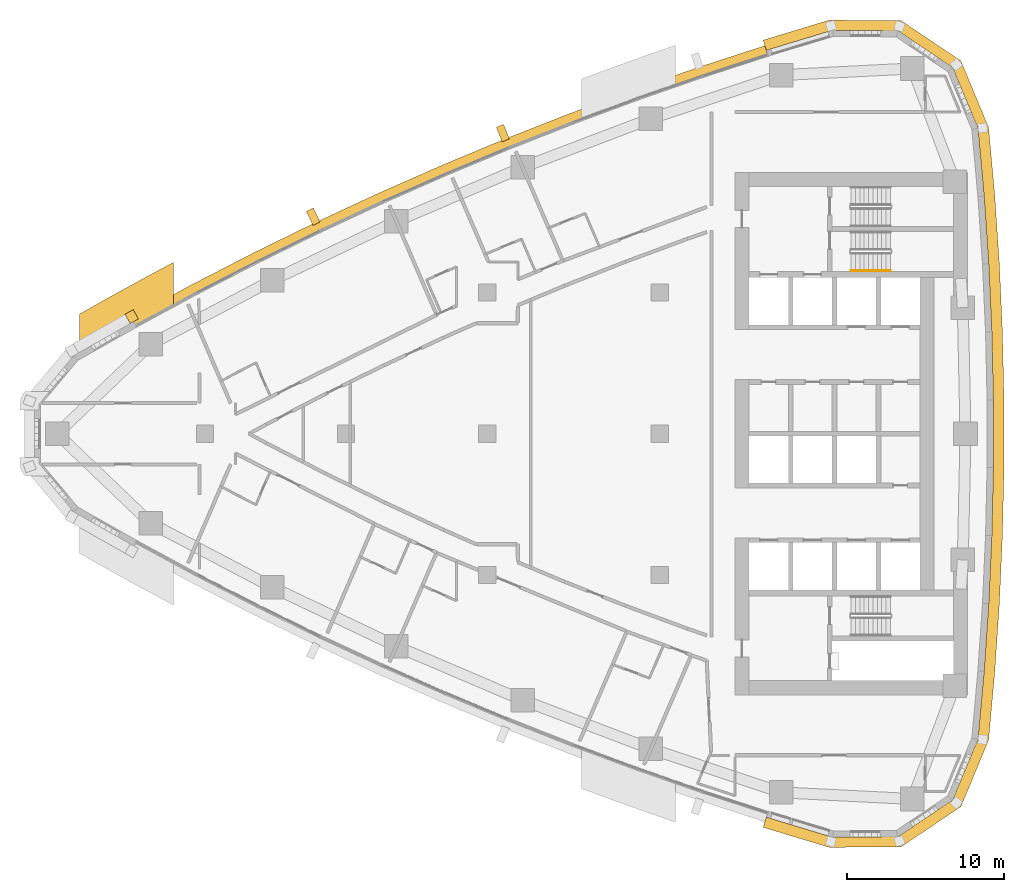
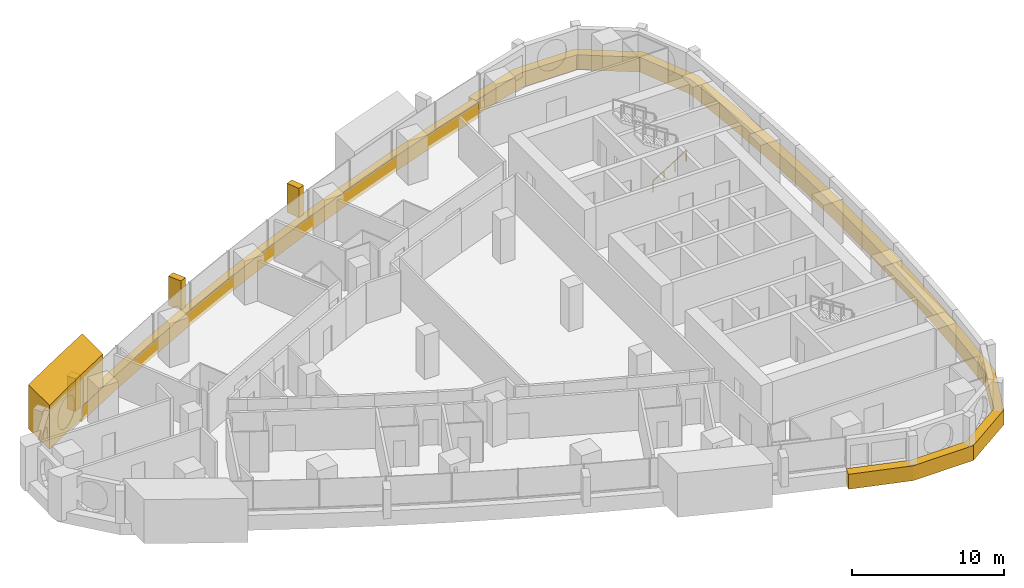
# One storey, part 16 of 17: 6 coverings, 1 railing.
"""IFC4 building model written with IfcOpenShell, lengths in metres."""

from ifc_helpers import new_model, si_unit, direction, frame, frame_2d, origin, origin_2d, place, context, subcontext, project, spatial, polyline, rectangle, circle, outline, extrude, material, layer, layer_set, type_object, element, save


model = new_model("IFC4")

# Units and contexts
model_context = context("Model", 3, precision=1e-05, world=origin(), true_north=direction((0.0, 1.0)))
body_context = subcontext(model_context, "Body", "Model", "MODEL_VIEW")
ifc_project = project(units=[si_unit("LENGTHUNIT", "METRE"), si_unit("AREAUNIT", "SQUARE_METRE"), si_unit("VOLUMEUNIT", "CUBIC_METRE"), si_unit("PLANEANGLEUNIT", "RADIAN"), si_unit("MASSUNIT", "GRAM", prefix="KILO")], contexts=[model_context])

# Site, building, storey
site_placement = place(None, origin())
site = spatial("IfcSite", under=ifc_project, at=site_placement, CompositionType="ELEMENT")
building_placement = place(site_placement, origin())
building = spatial("IfcBuilding", under=site, at=building_placement, Name="Ostrand Prow Hotel Tower", CompositionType="ELEMENT")
storey_placement = place(building_placement, frame((0.0, 0.0, 130.199951171875)))
storey = spatial("IfcBuildingStorey", under=building, at=storey_placement, Name="L31", CompositionType="ELEMENT", Elevation=130.199951171875)

# Coverings
ifc_material_1 = material(Name="Bronze anodised aluminium cladding", Category="aluminium")
ifc_layer_1 = layer(ifc_material_1, 0.60009765625)
ifc_layer_set_1 = layer_set([ifc_layer_1], Name="Bronze anodised aluminium cladding")
covering_type_1 = type_object("IfcCoveringType", Name="Bronze spandrel band 1200x600", PredefinedType="CLADDING", material=ifc_layer_set_1)
covering_1_placement = place(storey_placement, frame((0.0, 0.0, -0.300048828125)))
element("IfcCovering", 1, at=covering_1_placement, inside=storey, type_object=covering_type_1, Name="Spandrel band N1", PredefinedType="CLADDING", context=body_context, shape_type="SweptSolid", body=[
    extrude(outline(polyline([(51.705322265625, 24.74560546875), (47.522705078125, 23.385009765625), (43.368408203125, 21.9404296875), (39.243896484375, 20.41259765625), (35.15087890625, 18.80224609375), (31.091064453125, 17.110107421875), (27.06591796875, 15.336669921875), (23.077392578125, 13.482666015625), (19.126953125, 11.548828125), (15.21630859375, 9.535888671875), (11.3466796875, 7.445068359375), (11.63720703125, 6.920166015625), (15.49609375, 9.00537109375), (19.396240234375, 11.0126953125), (23.335693359375, 12.941162109375), (27.3134765625, 14.7900390625), (31.327392578125, 16.55859375), (35.376220703125, 18.24609375), (39.457763671875, 19.85205078125), (43.571044921875, 21.375732421875), (47.714111328125, 22.81640625), (51.88525390625, 24.17333984375), (51.705322265625, 24.74560546875)])), origin(), (0.0, 0.0, 1.0), 1.2001953125),
])
covering_2_placement = place(storey_placement, frame((0.0, 0.0, -0.300048828125)))
element("IfcCovering", 2, at=covering_2_placement, inside=storey, type_object=covering_type_1, Name="Spandrel band back 1", PredefinedType="CLADDING", context=body_context, shape_type="SweptSolid", body=[
    extrude(outline(polyline([(51.594970703125, -25.0966796875), (55.811279296875, -26.375244140625), (60.402099609375, -26.339111328125), (64.211181640625, -23.77587890625), (65.973388671875, -19.53662109375), (66.3662109375, -15.205322265625), (66.66064453125, -10.86669921875), (66.857177734375, -6.522216796875), (66.95556640625, -2.17431640625), (66.95556640625, 2.17431640625), (66.857177734375, 6.522216796875), (66.66064453125, 10.86669921875), (66.3662109375, 15.205322265625), (65.973388671875, 19.53662109375), (64.211181640625, 23.77587890625), (60.402099609375, 26.339111328125), (55.811279296875, 26.375244140625), (51.594970703125, 25.0966796875), (51.798828125, 24.447998046875), (56.001953125, 25.722412109375), (60.201171875, 25.689697265625), (63.68505859375, 23.34521484375), (65.296875, 19.467529296875), (65.688232421875, 15.151611328125), (65.981689453125, 10.828125), (66.177490234375, 6.4990234375), (66.275634765625, 2.166748046875), (66.275634765625, -2.166748046875), (66.177490234375, -6.4990234375), (65.981689453125, -10.828125), (65.688232421875, -15.151611328125), (65.296875, -19.467529296875), (63.68505859375, -23.34521484375), (60.201171875, -25.689697265625), (56.001953125, -25.722412109375), (51.798828125, -24.447998046875), (51.594970703125, -25.0966796875)])), origin(), (0.0, 0.0, 1.0), 1.2001953125),
])
ifc_material_2 = material(Name="Limestone cladding", Category="masonry")
ifc_layer_2 = layer(ifc_material_2, 5.0)
ifc_layer_set_2 = layer_set([ifc_layer_2], Name="Limestone cladding")
covering_type_2 = type_object("IfcCoveringType", Name="Portal jamb pilaster limestone", PredefinedType="CLADDING", material=ifc_layer_set_2)
covering_3_placement = place(storey_placement, origin())
element("IfcCovering", 3, at=covering_3_placement, inside=storey, type_object=covering_type_2, Name="Portal jamb NA L31", PredefinedType="CLADDING", context=body_context, shape_type="SweptSolid", body=[
    extrude(outline(polyline([(8.0, 4.861572265625), (9.0, 5.436767578125), (10.0, 6.0048828125), (11.0, 6.566162109375), (12.0, 7.12060546875), (13.0, 7.66796875), (14.0, 8.208740234375), (14.0, 10.92919921875), (13.0, 10.39599609375), (12.0, 9.856201171875), (11.0, 9.3095703125), (10.0, 8.75634765625), (9.0, 8.1962890625), (8.0, 7.62939453125), (8.0, 4.861572265625)])), origin(), (0.0, 0.0, 1.0), 3.550048828125),
])
ifc_material_3 = material(Name="Limestone cladding", Category="masonry")
ifc_layer_3 = layer(ifc_material_3, 0.5)
ifc_layer_set_3 = layer_set([ifc_layer_3], Name="Limestone cladding")
covering_type_3 = type_object("IfcCoveringType", Name="Precast stone fin 500x900", PredefinedType="CLADDING", material=ifc_layer_set_3)
covering_4_placement = place(storey_placement, frame((35.188232421875, 18.709716796875, 0.900146484375), z_axis=(0.0, 0.0, 1.0), x_axis=(-0.375302653349, 0.926902324082, 0.0)))
element("IfcCovering", 4, at=covering_4_placement, inside=storey, type_object=covering_type_3, Name="Stone fin N 5", PredefinedType="CLADDING", context=body_context, shape_type="SweptSolid", body=[
    extrude(rectangle(XDim=0.999755859375, YDim=0.5, at=frame_2d((0.5, 0.0))), origin(), (0.0, 0.0, 1.0), 2.349853515625),
])
covering_5_placement = place(storey_placement, frame((23.12060546875, 13.392333984375, 0.900146484375), z_axis=(0.0, 0.0, 1.0), x_axis=(-0.430634686673, 0.902526324621, 0.0)))
element("IfcCovering", 5, at=covering_5_placement, inside=storey, type_object=covering_type_3, Name="Stone fin N 8", PredefinedType="CLADDING", context=body_context, shape_type="SweptSolid", body=[
    extrude(rectangle(XDim=1.0, YDim=0.5, at=frame_2d((0.5, 0.0))), origin(), (0.0, 0.0, 1.0), 2.349853515625),
])
ifc_material_4 = material(Name="Limestone cladding", Category="masonry")
ifc_layer_4 = layer(ifc_material_4, 0.60009765625)
ifc_layer_set_4 = layer_set([ifc_layer_4], Name="Limestone cladding")
covering_type_4 = type_object("IfcCoveringType", Name="Precast stone prow rib 600x600", PredefinedType="CLADDING", material=ifc_layer_set_4)
covering_6_placement = place(storey_placement, frame((11.497802734375, 7.171875, 0.60009765625), z_axis=(0.0, 0.0, 1.0), x_axis=(-0.484301161624, 0.874901357211, 0.0)))
element("IfcCovering", 6, at=covering_6_placement, inside=storey, type_object=covering_type_4, Name="Stone prow rib 1", PredefinedType="CLADDING", context=body_context, shape_type="SweptSolid", body=[
    extrude(rectangle(XDim=0.679931640625, YDim=0.60009765625, at=frame_2d((0.33984375, 0.0))), origin(), (0.0, 0.0, 1.0), 2.64990234375),
])

# Railing
ifc_material_5 = material(Name="Stainless steel", Category="steel")
railing_type = type_object("IfcRailingType", Name="Stair handrail 900", PredefinedType="HANDRAIL", material=ifc_material_5)
railing_placement = place(storey_placement, frame((57.199951171875, 10.39990234375, 0.177490234375)))
element("IfcRailing", 7, at=railing_placement, inside=storey, type_object=railing_type, Name="L31 ST1C stair handrail 1", PredefinedType="HANDRAIL", context=body_context, shape_type="SweptSolid", body=[
    extrude(circle(Radius=0.02392578125, at=origin_2d()), frame((0.0, 0.0, 0.8759765625), z_axis=(0.84456994832, 0.0, 0.535445237532), x_axis=(0.0, 1.0, 0.0)), (0.0, 0.0, 1.0), 2.98388671875),
    extrude(circle(Radius=0.02099609375, at=origin_2d()), origin(), (0.0, 0.0, 1.0), 0.851806640625),
    extrude(circle(Radius=0.02099609375, at=origin_2d()), frame((0.840087890625, 0.0, 0.532470703125)), (0.0, 0.0, 1.0), 0.851806640625),
    extrude(circle(Radius=0.02099609375, at=origin_2d()), frame((1.679931640625, 0.0, 1.065185546875)), (0.0, 0.0, 1.0), 0.851806640625),
    extrude(circle(Radius=0.02099609375, at=origin_2d()), frame((2.52001953125, 0.0, 1.59765625)), (0.0, 0.0, 1.0), 0.851806640625),
])

save(model, "model.ifc")
